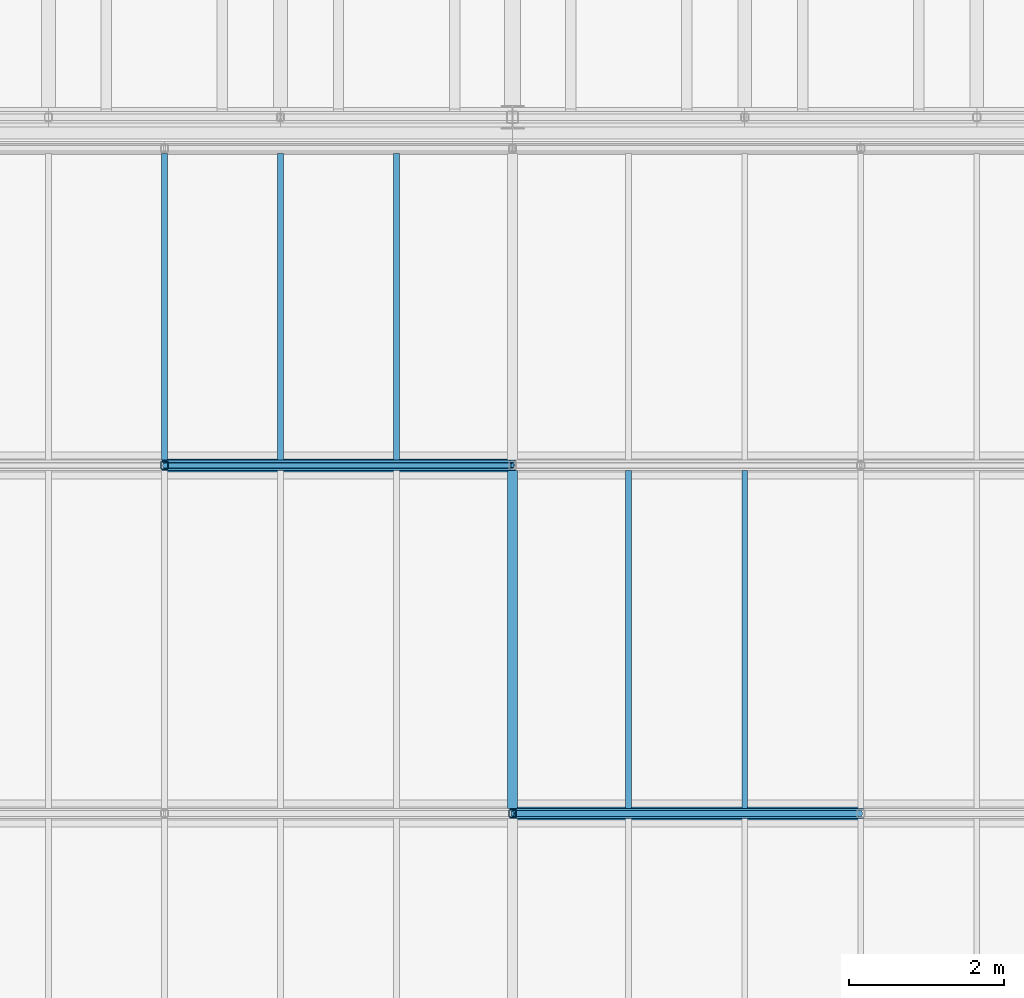
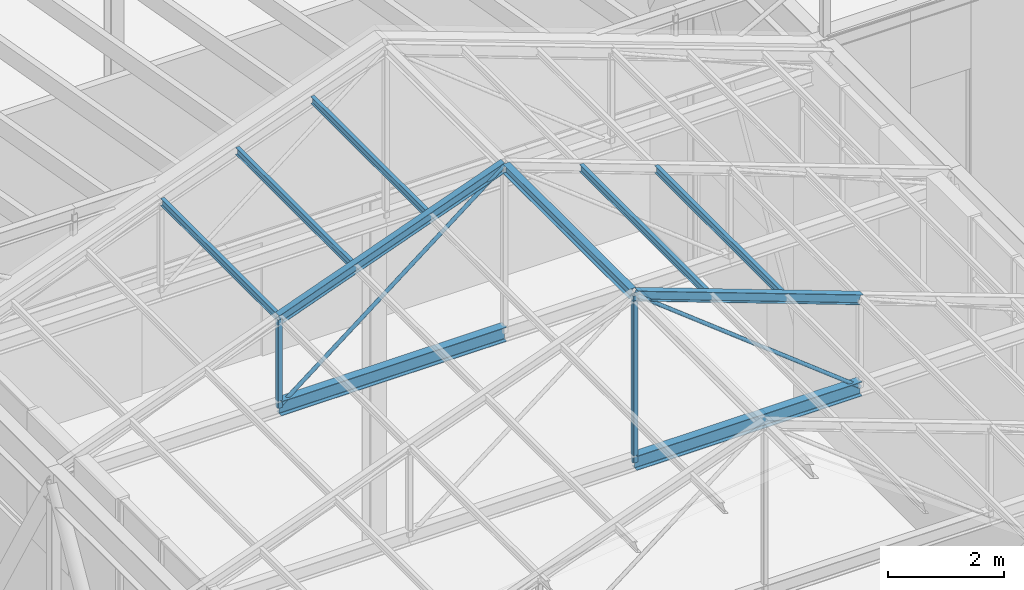
# One storey, part 18 of 90: 14 members.
"""IFC4 building model written with IfcOpenShell, lengths in metres."""

from ifc_helpers import new_model, si_unit, direction, frame, origin, origin_2d, place, context, subcontext, project, spatial, hollow_rectangle, hollow_circle, i_section, extrude, material, material_profile, profile_set, type_object, element, save


model = new_model("IFC4")

# Units and contexts
model_context = context("Model", 3, precision=1e-05, world=origin(), true_north=direction((0.0, 1.0)))
body_context = subcontext(model_context, "Body", "Model", "MODEL_VIEW")
ifc_project = project(units=[si_unit("LENGTHUNIT", "METRE"), si_unit("AREAUNIT", "SQUARE_METRE"), si_unit("VOLUMEUNIT", "CUBIC_METRE"), si_unit("PLANEANGLEUNIT", "RADIAN"), si_unit("MASSUNIT", "GRAM", prefix="KILO")], contexts=[model_context])

# Site, building, storey
site_placement = place(None, origin())
site = spatial("IfcSite", under=ifc_project, at=site_placement, CompositionType="ELEMENT")
building_placement = place(site_placement, origin())
building = spatial("IfcBuilding", under=site, at=building_placement, Name="Halyard Row Museum", CompositionType="ELEMENT")
storey_placement = place(building_placement, frame((0.0, 0.0, 13.39990234375)))
storey = spatial("IfcBuildingStorey", under=building, at=storey_placement, Name="L03", CompositionType="ELEMENT", Elevation=13.39990234375)

# Members
ifc_material_1 = material(Name="Steel Grade 300", Category="steel")
ifc_material_profile_1 = material_profile(ifc_material_1, i_section(OverallWidth=0.074951171875, OverallDepth=0.155029296875, WebThickness=0.006103515625, FlangeThickness=0.009521484375, FilletRadius=0.008056640625, at=origin_2d()), Name="150UB18.0")
ifc_profile_set_1 = profile_set([ifc_material_profile_1], Name="Steel Grade 300")
member_type_1 = type_object("IfcMemberType", Name="Purlin 150UB18.0", PredefinedType="PURLIN", material=ifc_profile_set_1)
for number, where, z_axis, x_axis, name in (
    (1, (40.5, 13.56640625, 9.133544921875), (0.0, 1.0, 0.0), (-1.0, 0.0, 0.0), "V4 purlin PL3.4"),
    (2, (42.0, 13.56640625, 9.685302734375), (0.0, 1.0, 0.0), (-1.0, 0.0, 0.0), "V4 purlin PL4.4"),
    (3, (43.5, 13.56640625, 10.237060546875), (0.0, 1.0, 0.0), (-1.0, 0.0, 0.0), "V4 purlin PL5.4"),
):
    element("IfcMember", number, at=place(storey_placement, frame(where, z_axis=z_axis, x_axis=x_axis)), inside=storey, type_object=member_type_1, Name=name, PredefinedType="PURLIN", context=body_context, shape_type="SweptSolid", body=[
        extrude(i_section(OverallWidth=0.074951171875, OverallDepth=0.155029296875, WebThickness=0.006103515625, FlangeThickness=0.009521484375, FilletRadius=0.008056640625, at=origin_2d()), origin(), (0.0, 0.0, 1.0), 3.967041015625),
    ])
for number, where, z_axis, x_axis, name in (
    (4, (46.5, 9.06640625, 10.237060546875), (0.0, 1.0, 0.0), (-1.0, 0.0, 0.0), "V4 purlin PR5.3"),
    (5, (48.0, 9.06640625, 9.685302734375), (0.0, 1.0, 0.0), (-1.0, 0.0, 0.0), "V4 purlin PR4.3"),
):
    element("IfcMember", number, at=place(storey_placement, frame(where, z_axis=z_axis, x_axis=x_axis)), inside=storey, type_object=member_type_1, Name=name, PredefinedType="PURLIN", context=body_context, shape_type="SweptSolid", body=[
        extrude(i_section(OverallWidth=0.074951171875, OverallDepth=0.155029296875, WebThickness=0.006103515625, FlangeThickness=0.009521484375, FilletRadius=0.008056640625, at=origin_2d()), origin(), (0.0, 0.0, 1.0), 4.3671875),
    ])
ifc_material_2 = material(Name="Steel Grade 300", Category="steel")
ifc_material_profile_2 = material_profile(ifc_material_2, i_section(OverallWidth=0.133056640625, OverallDepth=0.20166015625, WebThickness=0.0048828125, FlangeThickness=0.007080078125, FilletRadius=0.0087890625, at=origin_2d()), Name="200UB22.3")
ifc_profile_set_2 = profile_set([ifc_material_profile_2], Name="Steel Grade 300")
member_type_2 = type_object("IfcMemberType", Name="Purlin 200UB22.3 ridge", PredefinedType="PURLIN", material=ifc_profile_set_2)
member_1_placement = place(storey_placement, frame((45.0, 9.06640625, 10.7548828125), z_axis=(0.0, 1.0, 0.0), x_axis=(-1.0, 0.0, 0.0)))
element("IfcMember", 6, at=member_1_placement, inside=storey, type_object=member_type_2, Name="V4 purlin PRG.3", PredefinedType="PURLIN", context=body_context, shape_type="SweptSolid", body=[
    extrude(i_section(OverallWidth=0.133056640625, OverallDepth=0.20166015625, WebThickness=0.0048828125, FlangeThickness=0.007080078125, FilletRadius=0.0087890625, at=origin_2d()), origin(), (0.0, 0.0, 1.0), 4.3671875),
])
ifc_material_3 = material(Name="Steel Grade C250L0", Category="steel")
ifc_material_profile_3 = material_profile(ifc_material_3, hollow_circle(Radius=0.0380859375, WallThickness=0.00439453125, at=origin_2d()), Name="76.1x4.5CHS")
ifc_profile_set_3 = profile_set([ifc_material_profile_3], Name="Steel Grade C250L0")
member_type_3 = type_object("IfcMemberType", Name="Roof truss diagonal 76.1x4.5CHS", PredefinedType="BRACE", material=ifc_profile_set_3)
for number, where, z_axis, x_axis, name in (
    (7, (49.5, 9.0, 7.2490234375), (-0.787340018202, 0.0, 0.616519014904), (0.0, -1.0, 0.0), "V4RT3 diagonal 3"),
    (8, (40.5, 13.5, 7.2490234375), (0.787340018202, 0.0, 0.616519014904), (0.0, 1.0, 0.0), "V4RT4 diagonal 2"),
):
    element("IfcMember", number, at=place(storey_placement, frame(where, z_axis=z_axis, x_axis=x_axis)), inside=storey, type_object=member_type_3, Name=name, PredefinedType="BRACE", context=body_context, shape_type="SweptSolid", body=[
        extrude(hollow_circle(Radius=0.0380859375, WallThickness=0.00439453125, at=origin_2d()), origin(), (0.0, 0.0, 1.0), 5.71533203125),
    ])
ifc_material_4 = material(Name="Steel Grade C350L0", Category="steel")
ifc_material_profile_4 = material_profile(ifc_material_4, hollow_rectangle(XDim=0.10009765625, YDim=0.10009765625, WallThickness=0.006103515625, InnerFilletRadius=0.009033203125, OuterFilletRadius=0.014892578125, at=origin_2d()), Name="100x100x6.0SHS")
ifc_profile_set_4 = profile_set([ifc_material_profile_4], Name="Steel Grade C350L0")
member_type_4 = type_object("IfcMemberType", Name="Roof truss post 100x100x6.0SHS", PredefinedType="POST", material=ifc_profile_set_4)
member_2_placement = place(storey_placement, frame((45.0, 9.0, 7.2490234375), z_axis=(0.0, 0.0, 1.0), x_axis=(1.0, 0.0, 0.0)))
element("IfcMember", 9, at=member_2_placement, inside=storey, type_object=member_type_4, Name="V4RT3 post 2", PredefinedType="POST", context=body_context, shape_type="SweptSolid", body=[
    extrude(hollow_rectangle(XDim=0.10009765625, YDim=0.10009765625, WallThickness=0.006103515625, InnerFilletRadius=0.009033203125, OuterFilletRadius=0.014892578125, at=origin_2d()), origin(), (0.0, 0.0, 1.0), 3.523681640625),
])
member_3_placement = place(storey_placement, frame((40.5, 13.5, 7.2490234375), z_axis=(0.0, 0.0, 1.0), x_axis=(1.0, 0.0, 0.0)))
element("IfcMember", 10, at=member_3_placement, inside=storey, type_object=member_type_4, Name="V4RT4 post 1", PredefinedType="POST", context=body_context, shape_type="SweptSolid", body=[
    extrude(hollow_rectangle(XDim=0.10009765625, YDim=0.10009765625, WallThickness=0.006103515625, InnerFilletRadius=0.009033203125, OuterFilletRadius=0.014892578125, at=origin_2d()), origin(), (0.0, 0.0, 1.0), 1.868408203125),
])
ifc_material_5 = material(Name="Steel Grade 300", Category="steel")
ifc_material_profile_5 = material_profile(ifc_material_5, i_section(OverallWidth=0.133056640625, OverallDepth=0.20166015625, WebThickness=0.0048828125, FlangeThickness=0.007080078125, FilletRadius=0.0087890625, at=origin_2d()), Name="200UB22.3")
ifc_profile_set_5 = profile_set([ifc_material_profile_5], Name="Steel Grade 300")
member_type_5 = type_object("IfcMemberType", Name="Roof truss rafter 200UB22.3 rafter", PredefinedType="RAFTER", material=ifc_profile_set_5)
for number, where, z_axis, x_axis, name in (
    (11, (45.0, 9.0, 10.772705078125), (0.938520336973, 0.0, -0.345223952077), (0.0, 1.0, 0.0), "V4RT3 rafter 3"),
    (12, (40.5, 13.5, 9.117431640625), (0.938520336973, 0.0, 0.345223952077), (0.0, 1.0, 0.0), "V4RT4 rafter 2"),
):
    element("IfcMember", number, at=place(storey_placement, frame(where, z_axis=z_axis, x_axis=x_axis)), inside=storey, type_object=member_type_5, Name=name, PredefinedType="RAFTER", context=body_context, shape_type="SweptSolid", body=[
        extrude(i_section(OverallWidth=0.133056640625, OverallDepth=0.20166015625, WebThickness=0.0048828125, FlangeThickness=0.007080078125, FilletRadius=0.0087890625, at=origin_2d()), origin(), (0.0, 0.0, 1.0), 4.794677734375),
    ])
ifc_material_6 = material(Name="Steel Grade 300", Category="steel")
ifc_material_profile_6 = material_profile(ifc_material_6, i_section(OverallWidth=0.1650390625, OverallDepth=0.303955078125, WebThickness=0.006103515625, FlangeThickness=0.01025390625, FilletRadius=0.011474609375, at=origin_2d()), Name="310UB40.4")
ifc_profile_set_6 = profile_set([ifc_material_profile_6], Name="Steel Grade 300")
member_type_6 = type_object("IfcMemberType", Name="Roof truss tie 310UB40.4 tie", PredefinedType="CHORD", material=ifc_profile_set_6)
for number, where, z_axis, x_axis, name in (
    (13, (45.0, 9.0, 7.2490234375), (1.0, 0.0, 0.0), (0.0, 1.0, 0.0), "V4RT3 tie 3"),
    (14, (40.5, 13.5, 7.2490234375), (1.0, 0.0, 0.0), (0.0, 1.0, 0.0), "V4RT4 tie 2"),
):
    element("IfcMember", number, at=place(storey_placement, frame(where, z_axis=z_axis, x_axis=x_axis)), inside=storey, type_object=member_type_6, Name=name, PredefinedType="CHORD", context=body_context, shape_type="SweptSolid", body=[
        extrude(i_section(OverallWidth=0.1650390625, OverallDepth=0.303955078125, WebThickness=0.006103515625, FlangeThickness=0.01025390625, FilletRadius=0.011474609375, at=origin_2d()), origin(), (0.0, 0.0, 1.0), 4.5),
    ])

save(model, "model.ifc")
